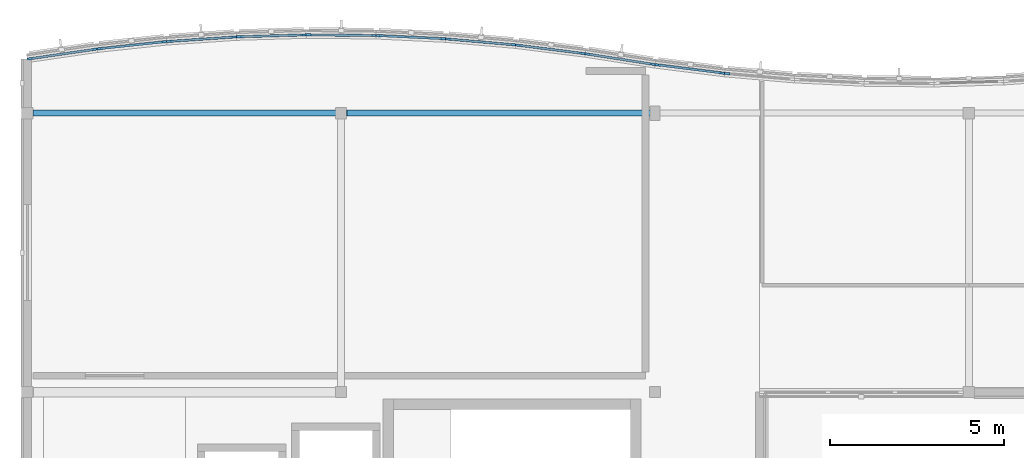
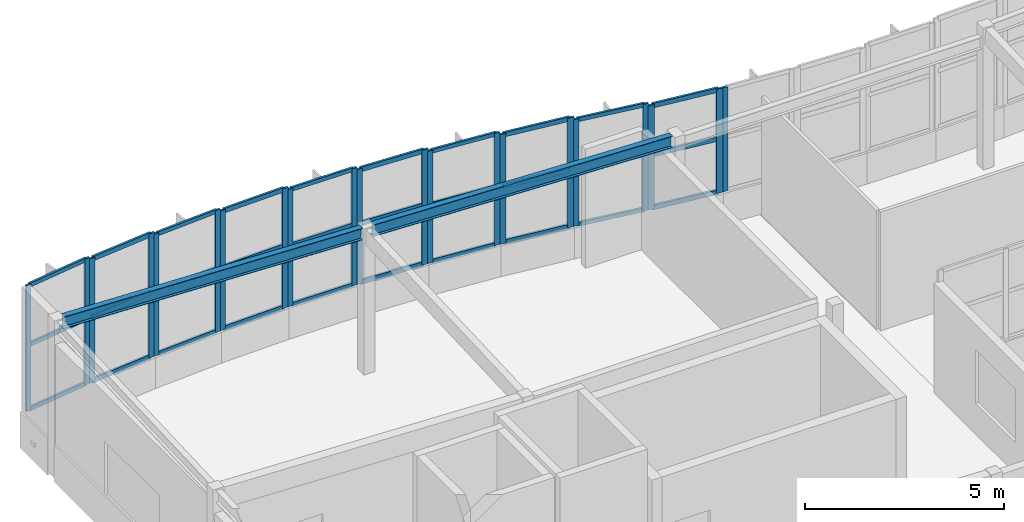
# One storey, part 4 of 20: 51 members, 2 beams, 11 elements without a shape of their own.
"""IFC4 building model written with IfcOpenShell, lengths in metres."""

from ifc_helpers import new_model, si_unit, direction, frame, origin, origin_2d, place, context, subcontext, project, spatial, rectangle, i_section, extrude, material, layer, layer_set, material_profile, profile_set, type_object, element, aggregate, save


model = new_model("IFC4")

# Units and contexts
model_context = context("Model", 3, precision=1e-05, world=origin(), true_north=direction((0.0, 1.0)))
body_context = subcontext(model_context, "Body", "Model", "MODEL_VIEW")
ifc_project = project(units=[si_unit("LENGTHUNIT", "METRE"), si_unit("AREAUNIT", "SQUARE_METRE"), si_unit("VOLUMEUNIT", "CUBIC_METRE"), si_unit("PLANEANGLEUNIT", "RADIAN"), si_unit("MASSUNIT", "GRAM", prefix="KILO")], contexts=[model_context])

# Site, building, storey
site_placement = place(None, origin())
site = spatial("IfcSite", under=ifc_project, at=site_placement, CompositionType="ELEMENT")
building_placement = place(site_placement, origin())
building = spatial("IfcBuilding", under=site, at=building_placement, Name="Tonlespit Floodbar School", CompositionType="ELEMENT")
storey_placement = place(building_placement, frame((0.0, 0.0, 20.10009765625)))
storey = spatial("IfcBuildingStorey", under=building, at=storey_placement, Name="L05", CompositionType="ELEMENT", Elevation=20.10009765625)

# Curtain wall, members
ifc_material_1 = material(Name="Anodised Aluminium", Category="aluminium")
ifc_layer_1 = layer(ifc_material_1, 0.159912109375)
ifc_layer_set_1 = layer_set([ifc_layer_1], Name="Anodised Aluminium")
curtain_wall_type_1 = type_object("IfcCurtainWallType", Name="CurtainWall_1950x3850", PredefinedType="NOTDEFINED", material=ifc_layer_set_1)
curtain_wall_1_placement = place(storey_placement, origin())
curtain_wall_1 = element("IfcCurtainWall", 1, at=curtain_wall_1_placement, inside=storey, type_object=curtain_wall_type_1, Name="L05 unitised curtain wall 0208", PredefinedType="NOTDEFINED")
ifc_material_profile_1 = material_profile(ifc_material_1, rectangle(XDim=0.06494140625, YDim=0.14990234375, at=origin_2d()), Name="ALU M65x150")
ifc_profile_set_1 = profile_set([ifc_material_profile_1], Name="Anodised Aluminium")
member_type_1 = type_object("IfcMemberType", Name="CW_Mullion_65x150", PredefinedType="MULLION", material=ifc_profile_set_1)
member_1_placement = place(storey_placement, frame((44.07177734375, 121.560546875, 0.949951171875), z_axis=(0.0, 0.0, 1.0), x_axis=(-0.144248041079, 0.989541561858, 0.0)))
member_1 = element("IfcMember", 2, at=member_1_placement, type_object=member_type_1, Name="CW-09 mullion 1", PredefinedType="MULLION", context=body_context, shape_type="SweptSolid", body=[
    extrude(rectangle(XDim=0.06494140625, YDim=0.14990234375, at=origin_2d()), origin(), (0.0, 0.0, 1.0), 3.871337890625),
])
member_2_placement = place(storey_placement, frame((45.92822265625, 121.8310546875, 0.949951171875), z_axis=(0.0, 0.0, 1.0), x_axis=(-0.144248041079, 0.989541561858, 0.0)))
member_2 = element("IfcMember", 3, at=member_2_placement, type_object=member_type_1, Name="CW-09 mullion 2", PredefinedType="MULLION", context=body_context, shape_type="SweptSolid", body=[
    extrude(rectangle(XDim=0.06494140625, YDim=0.14990234375, at=origin_2d()), origin(), (0.0, 0.0, 1.0), 3.871337890625),
])

ifc_layer_2 = layer(ifc_material_1, 0.159912109375)
ifc_layer_set_2 = layer_set([ifc_layer_2], Name="Anodised Aluminium")
curtain_wall_type_2 = type_object("IfcCurtainWallType", Name="CurtainWall_1900x3750", PredefinedType="NOTDEFINED", material=ifc_layer_set_2)
curtain_wall_2_placement = place(storey_placement, origin())
curtain_wall_2 = element("IfcCurtainWall", 4, at=curtain_wall_2_placement, inside=storey, type_object=curtain_wall_type_2, Name="L05 unitised curtain wall 0210", PredefinedType="NOTDEFINED")
member_3_placement = place(storey_placement, frame((48.072265625, 122.05908203125, 0.949951171875), z_axis=(0.0, 0.0, 1.0), x_axis=(-0.067339767311, 0.99773010165, 0.0)))
member_3 = element("IfcMember", 5, at=member_3_placement, type_object=member_type_1, Name="CW-11 mullion 1", PredefinedType="MULLION", context=body_context, shape_type="SweptSolid", body=[
    extrude(rectangle(XDim=0.06494140625, YDim=0.14990234375, at=origin_2d()), origin(), (0.0, 0.0, 1.0), 3.7431640625),
])
member_4_placement = place(storey_placement, frame((49.927734375, 122.184326171875, 0.949951171875), z_axis=(0.0, 0.0, 1.0), x_axis=(-0.067339767311, 0.99773010165, 0.0)))
member_4 = element("IfcMember", 6, at=member_4_placement, type_object=member_type_1, Name="CW-11 mullion 2", PredefinedType="MULLION", context=body_context, shape_type="SweptSolid", body=[
    extrude(rectangle(XDim=0.06494140625, YDim=0.14990234375, at=origin_2d()), origin(), (0.0, 0.0, 1.0), 3.7431640625),
])

ifc_layer_3 = layer(ifc_material_1, 0.159912109375)
ifc_layer_set_3 = layer_set([ifc_layer_3], Name="Anodised Aluminium")
curtain_wall_type_3 = type_object("IfcCurtainWallType", Name="CurtainWall_1900x3600", PredefinedType="NOTDEFINED", material=ifc_layer_set_3)
curtain_wall_3_placement = place(storey_placement, origin())
curtain_wall_3 = element("IfcCurtainWall", 7, at=curtain_wall_3_placement, inside=storey, type_object=curtain_wall_type_3, Name="L05 unitised curtain wall 0212", PredefinedType="NOTDEFINED")
member_5_placement = place(storey_placement, frame((52.072509765625, 122.246337890625, 0.949951171875), z_axis=(0.0, 0.0, 1.0), x_axis=(0.009582893292, 0.999954083024, 0.0)))
member_5 = element("IfcMember", 8, at=member_5_placement, type_object=member_type_1, Name="CW-13 mullion 1", PredefinedType="MULLION", context=body_context, shape_type="SweptSolid", body=[
    extrude(rectangle(XDim=0.06494140625, YDim=0.14990234375, at=origin_2d()), origin(), (0.0, 0.0, 1.0), 3.601806640625),
])
member_6_placement = place(storey_placement, frame((53.927490234375, 122.228515625, 0.949951171875), z_axis=(0.0, 0.0, 1.0), x_axis=(0.009582893292, 0.999954083024, 0.0)))
member_6 = element("IfcMember", 9, at=member_6_placement, type_object=member_type_1, Name="CW-13 mullion 2", PredefinedType="MULLION", context=body_context, shape_type="SweptSolid", body=[
    extrude(rectangle(XDim=0.06494140625, YDim=0.14990234375, at=origin_2d()), origin(), (0.0, 0.0, 1.0), 3.601806640625),
])

ifc_layer_4 = layer(ifc_material_1, 0.159912109375)
ifc_layer_set_4 = layer_set([ifc_layer_4], Name="Anodised Aluminium")
curtain_wall_type_4 = type_object("IfcCurtainWallType", Name="CurtainWall_1950x3450", PredefinedType="NOTDEFINED", material=ifc_layer_set_4)
curtain_wall_4_placement = place(storey_placement, origin())
curtain_wall_4 = element("IfcCurtainWall", 10, at=curtain_wall_4_placement, inside=storey, type_object=curtain_wall_type_4, Name="L05 unitised curtain wall 0214", PredefinedType="NOTDEFINED")
member_7_placement = place(storey_placement, frame((56.072265625, 122.125244140625, 0.949951171875), z_axis=(0.0, 0.0, 1.0), x_axis=(0.086531117454, 0.996249148412, 0.0)))
member_7 = element("IfcMember", 11, at=member_7_placement, type_object=member_type_1, Name="CW-15 mullion 1", PredefinedType="MULLION", context=body_context, shape_type="SweptSolid", body=[
    extrude(rectangle(XDim=0.06494140625, YDim=0.14990234375, at=origin_2d()), origin(), (0.0, 0.0, 1.0), 3.447021484375),
])
member_8_placement = place(storey_placement, frame((57.927734375, 121.964111328125, 0.949951171875), z_axis=(0.0, 0.0, 1.0), x_axis=(0.086531117454, 0.996249148412, 0.0)))
member_8 = element("IfcMember", 12, at=member_8_placement, type_object=member_type_1, Name="CW-15 mullion 2", PredefinedType="MULLION", context=body_context, shape_type="SweptSolid", body=[
    extrude(rectangle(XDim=0.06494140625, YDim=0.14990234375, at=origin_2d()), origin(), (0.0, 0.0, 1.0), 3.447021484375),
])

ifc_layer_5 = layer(ifc_material_1, 0.159912109375)
ifc_layer_set_5 = layer_set([ifc_layer_5], Name="Anodised Aluminium")
curtain_wall_type_5 = type_object("IfcCurtainWallType", Name="CurtainWall_1950x3300", PredefinedType="NOTDEFINED", material=ifc_layer_set_5)
curtain_wall_5_placement = place(storey_placement, origin())
curtain_wall_5 = element("IfcCurtainWall", 13, at=curtain_wall_5_placement, inside=storey, type_object=curtain_wall_type_5, Name="L05 unitised curtain wall 0216", PredefinedType="NOTDEFINED")
member_9_placement = place(storey_placement, frame((60.071533203125, 121.694580078125, 0.949951171875), z_axis=(0.0, 0.0, 1.0), x_axis=(0.153796288585, 0.988102576465, 0.0)))
member_9 = element("IfcMember", 14, at=member_9_placement, type_object=member_type_1, Name="CW-01 mullion 1", PredefinedType="MULLION", context=body_context, shape_type="SweptSolid", body=[
    extrude(rectangle(XDim=0.06494140625, YDim=0.14990234375, at=origin_2d()), origin(), (0.0, 0.0, 1.0), 3.279541015625),
])
member_10_placement = place(storey_placement, frame((61.928466796875, 121.405517578125, 0.949951171875), z_axis=(0.0, 0.0, 1.0), x_axis=(0.153796288585, 0.988102576465, 0.0)))
member_10 = element("IfcMember", 15, at=member_10_placement, type_object=member_type_1, Name="CW-01 mullion 2", PredefinedType="MULLION", context=body_context, shape_type="SweptSolid", body=[
    extrude(rectangle(XDim=0.06494140625, YDim=0.14990234375, at=origin_2d()), origin(), (0.0, 0.0, 1.0), 3.279541015625),
])

# Curtain wall, member
ifc_layer_6 = layer(ifc_material_1, 0.159912109375)
ifc_layer_set_6 = layer_set([ifc_layer_6], Name="Anodised Aluminium")
curtain_wall_type_6 = type_object("IfcCurtainWallType", Name="CurtainWall_1950x3200", PredefinedType="NOTDEFINED", material=ifc_layer_set_6)
curtain_wall_6_placement = place(storey_placement, origin())
curtain_wall_6 = element("IfcCurtainWall", 16, at=curtain_wall_6_placement, inside=storey, type_object=curtain_wall_type_6, Name="L05 unitised curtain wall 0218", PredefinedType="NOTDEFINED")
member_11_placement = place(storey_placement, frame((64.072265625, 121.135986328125, 0.949951171875), z_axis=(0.0, 0.0, 1.0), x_axis=(0.086531117454, 0.996249148412, 0.0)))
member_11 = element("IfcMember", 17, at=member_11_placement, type_object=member_type_1, Name="CW-17 mullion 1", PredefinedType="MULLION", context=body_context, shape_type="SweptSolid", body=[
    extrude(rectangle(XDim=0.06494140625, YDim=0.14990234375, at=origin_2d()), origin(), (0.0, 0.0, 1.0), 3.197265625),
])
aggregate(curtain_wall_6, [member_11])

# Curtain wall, members
ifc_layer_7 = layer(ifc_material_1, 0.159912109375)
ifc_layer_set_7 = layer_set([ifc_layer_7], Name="Anodised Aluminium")
curtain_wall_type_7 = type_object("IfcCurtainWallType", Name="CurtainWall_1950x3800", PredefinedType="NOTDEFINED", material=ifc_layer_set_7)
curtain_wall_7_placement = place(storey_placement, origin())
curtain_wall_7 = element("IfcCurtainWall", 18, at=curtain_wall_7_placement, inside=storey, type_object=curtain_wall_type_7, Name="L05 unitised curtain wall 0209", PredefinedType="NOTDEFINED")
ifc_material_profile_2 = material_profile(ifc_material_1, rectangle(XDim=0.06494140625, YDim=0.179931640625, at=origin_2d()), Name="ALU M65x180")
ifc_profile_set_2 = profile_set([ifc_material_profile_2], Name="Anodised Aluminium")
member_type_2 = type_object("IfcMemberType", Name="CW_Mullion_65x180", PredefinedType="MULLION", material=ifc_profile_set_2)
member_12_placement = place(storey_placement, frame((46.072021484375, 121.84912109375, 0.949951171875), z_axis=(0.0, 0.0, 1.0), x_axis=(-0.105787143968, 0.994388797288, 0.0)))
member_12 = element("IfcMember", 19, at=member_12_placement, type_object=member_type_2, Name="CW-10 mullion 1", PredefinedType="MULLION", context=body_context, shape_type="SweptSolid", body=[
    extrude(rectangle(XDim=0.06494140625, YDim=0.179931640625, at=origin_2d()), origin(), (0.0, 0.0, 1.0), 3.808837890625),
])
member_13_placement = place(storey_placement, frame((47.927978515625, 122.046630859375, 0.949951171875), z_axis=(0.0, 0.0, 1.0), x_axis=(-0.105787143968, 0.994388797288, 0.0)))
member_13 = element("IfcMember", 20, at=member_13_placement, type_object=member_type_2, Name="CW-10 mullion 2", PredefinedType="MULLION", context=body_context, shape_type="SweptSolid", body=[
    extrude(rectangle(XDim=0.06494140625, YDim=0.179931640625, at=origin_2d()), origin(), (0.0, 0.0, 1.0), 3.808837890625),
])

ifc_layer_8 = layer(ifc_material_1, 0.159912109375)
ifc_layer_set_8 = layer_set([ifc_layer_8], Name="Anodised Aluminium")
curtain_wall_type_8 = type_object("IfcCurtainWallType", Name="CurtainWall_1900x3650", PredefinedType="NOTDEFINED", material=ifc_layer_set_8)
curtain_wall_8_placement = place(storey_placement, origin())
curtain_wall_8 = element("IfcCurtainWall", 21, at=curtain_wall_8_placement, inside=storey, type_object=curtain_wall_type_8, Name="L05 unitised curtain wall 0211", PredefinedType="NOTDEFINED")
member_14_placement = place(storey_placement, frame((50.072509765625, 122.19140625, 0.949951171875), z_axis=(0.0, 0.0, 1.0), x_axis=(-0.028790144226, 0.999585477883, 0.0)))
member_14 = element("IfcMember", 22, at=member_14_placement, type_object=member_type_2, Name="CW-12 mullion 1", PredefinedType="MULLION", context=body_context, shape_type="SweptSolid", body=[
    extrude(rectangle(XDim=0.06494140625, YDim=0.179931640625, at=origin_2d()), origin(), (0.0, 0.0, 1.0), 3.674072265625),
])
member_15_placement = place(storey_placement, frame((51.927490234375, 122.244873046875, 0.949951171875), z_axis=(0.0, 0.0, 1.0), x_axis=(-0.028790144226, 0.999585477883, 0.0)))
member_15 = element("IfcMember", 23, at=member_15_placement, type_object=member_type_2, Name="CW-12 mullion 2", PredefinedType="MULLION", context=body_context, shape_type="SweptSolid", body=[
    extrude(rectangle(XDim=0.06494140625, YDim=0.179931640625, at=origin_2d()), origin(), (0.0, 0.0, 1.0), 3.674072265625),
])

ifc_layer_9 = layer(ifc_material_1, 0.159912109375)
ifc_layer_set_9 = layer_set([ifc_layer_9], Name="Anodised Aluminium")
curtain_wall_type_9 = type_object("IfcCurtainWallType", Name="CurtainWall_1900x3550", PredefinedType="NOTDEFINED", material=ifc_layer_set_9)
curtain_wall_9_placement = place(storey_placement, origin())
curtain_wall_9 = element("IfcCurtainWall", 24, at=curtain_wall_9_placement, inside=storey, type_object=curtain_wall_type_9, Name="L05 unitised curtain wall 0213", PredefinedType="NOTDEFINED")
member_16_placement = place(storey_placement, frame((54.072509765625, 122.224365234375, 0.949951171875), z_axis=(0.0, 0.0, 1.0), x_axis=(0.048121270216, 0.998841500616, 0.0)))
member_16 = element("IfcMember", 25, at=member_16_placement, type_object=member_type_2, Name="CW-14 mullion 1", PredefinedType="MULLION", context=body_context, shape_type="SweptSolid", body=[
    extrude(rectangle(XDim=0.06494140625, YDim=0.179931640625, at=origin_2d()), origin(), (0.0, 0.0, 1.0), 3.526123046875),
])
member_17_placement = place(storey_placement, frame((55.927490234375, 122.135009765625, 0.949951171875), z_axis=(0.0, 0.0, 1.0), x_axis=(0.048121270216, 0.998841500616, 0.0)))
member_17 = element("IfcMember", 26, at=member_17_placement, type_object=member_type_2, Name="CW-14 mullion 2", PredefinedType="MULLION", context=body_context, shape_type="SweptSolid", body=[
    extrude(rectangle(XDim=0.06494140625, YDim=0.179931640625, at=origin_2d()), origin(), (0.0, 0.0, 1.0), 3.526123046875),
])

ifc_layer_10 = layer(ifc_material_1, 0.159912109375)
ifc_layer_set_10 = layer_set([ifc_layer_10], Name="Anodised Aluminium")
curtain_wall_type_10 = type_object("IfcCurtainWallType", Name="CurtainWall_1950x3350", PredefinedType="NOTDEFINED", material=ifc_layer_set_10)
curtain_wall_10_placement = place(storey_placement, origin())
curtain_wall_10 = element("IfcCurtainWall", 27, at=curtain_wall_10_placement, inside=storey, type_object=curtain_wall_type_10, Name="L05 unitised curtain wall 0215", PredefinedType="NOTDEFINED")
member_18_placement = place(storey_placement, frame((58.072021484375, 121.94873046875, 0.949951171875), z_axis=(0.0, 0.0, 1.0), x_axis=(0.125013803299, 0.992155002499, 0.0)))
member_18 = element("IfcMember", 28, at=member_18_placement, type_object=member_type_2, Name="CW-16 mullion 1", PredefinedType="MULLION", context=body_context, shape_type="SweptSolid", body=[
    extrude(rectangle(XDim=0.06494140625, YDim=0.179931640625, at=origin_2d()), origin(), (0.0, 0.0, 1.0), 3.364501953125),
])
member_19_placement = place(storey_placement, frame((59.927978515625, 121.71484375, 0.949951171875), z_axis=(0.0, 0.0, 1.0), x_axis=(0.125013803299, 0.992155002499, 0.0)))
member_19 = element("IfcMember", 29, at=member_19_placement, type_object=member_type_2, Name="CW-16 mullion 2", PredefinedType="MULLION", context=body_context, shape_type="SweptSolid", body=[
    extrude(rectangle(XDim=0.06494140625, YDim=0.179931640625, at=origin_2d()), origin(), (0.0, 0.0, 1.0), 3.364501953125),
])

curtain_wall_11_placement = place(storey_placement, origin())
curtain_wall_11 = element("IfcCurtainWall", 30, at=curtain_wall_11_placement, inside=storey, type_object=curtain_wall_type_6, Name="L05 unitised curtain wall 0217", PredefinedType="NOTDEFINED")
member_20_placement = place(storey_placement, frame((62.072021484375, 121.38525390625, 0.949951171875), z_axis=(0.0, 0.0, 1.0), x_axis=(0.125013803299, 0.992155002499, 0.0)))
member_20 = element("IfcMember", 31, at=member_20_placement, type_object=member_type_2, Name="CW-17 mullion 1", PredefinedType="MULLION", context=body_context, shape_type="SweptSolid", body=[
    extrude(rectangle(XDim=0.06494140625, YDim=0.179931640625, at=origin_2d()), origin(), (0.0, 0.0, 1.0), 3.197265625),
])
member_21_placement = place(storey_placement, frame((63.927978515625, 121.1513671875, 0.949951171875), z_axis=(0.0, 0.0, 1.0), x_axis=(0.125013803299, 0.992155002499, 0.0)))
member_21 = element("IfcMember", 32, at=member_21_placement, type_object=member_type_2, Name="CW-17 mullion 2", PredefinedType="MULLION", context=body_context, shape_type="SweptSolid", body=[
    extrude(rectangle(XDim=0.06494140625, YDim=0.179931640625, at=origin_2d()), origin(), (0.0, 0.0, 1.0), 3.197265625),
])

# Member
ifc_material_profile_3 = material_profile(ifc_material_1, rectangle(XDim=0.06494140625, YDim=0.1201171875, at=origin_2d()), Name="ALU T65x120")
ifc_profile_set_3 = profile_set([ifc_material_profile_3], Name="Anodised Aluminium")
member_type_3 = type_object("IfcMemberType", Name="CW_Transom_65x120", PredefinedType="USERDEFINED", material=ifc_profile_set_3)
member_22_placement = place(storey_placement, frame((44.10400390625, 121.565185546875, 0.982421875), z_axis=(0.989541000818, 0.144251889765, 0.0), x_axis=(-0.144251889765, 0.989541000818, 0.0)))
member_22 = element("IfcMember", 33, at=member_22_placement, type_object=member_type_3, Name="CW-09 transom 1.1", ObjectType="TRANSOM", PredefinedType="USERDEFINED", context=body_context, shape_type="SweptSolid", body=[
    extrude(rectangle(XDim=0.06494140625, YDim=0.1201171875, at=origin_2d()), origin(), (0.0, 0.0, 1.0), 1.81103515625),
])

member_23_placement = place(storey_placement, frame((44.10400390625, 121.565185546875, 2.962890625), z_axis=(0.989541000818, 0.144251889765, 0.0), x_axis=(-0.144251889765, 0.989541000818, 0.0)))
member_23 = element("IfcMember", 34, at=member_23_placement, type_object=member_type_3, Name="CW-09 transom 1.2", ObjectType="TRANSOM", PredefinedType="USERDEFINED", context=body_context, shape_type="SweptSolid", body=[
    extrude(rectangle(XDim=0.06494140625, YDim=0.1201171875, at=origin_2d()), origin(), (0.0, 0.0, 1.0), 1.81103515625),
])

member_24_placement = place(storey_placement, frame((44.10400390625, 121.565185546875, 4.788818359375), z_axis=(0.989541000818, 0.144251889765, 0.0), x_axis=(-0.144251889765, 0.989541000818, 0.0)))
member_24 = element("IfcMember", 35, at=member_24_placement, type_object=member_type_3, Name="CW-09 transom 1.3", ObjectType="TRANSOM", PredefinedType="USERDEFINED", context=body_context, shape_type="SweptSolid", body=[
    extrude(rectangle(XDim=0.06494140625, YDim=0.1201171875, at=origin_2d()), origin(), (0.0, 0.0, 1.0), 1.81103515625),
])

aggregate(curtain_wall_1, [member_1, member_2, member_22, member_23, member_24])

member_25_placement = place(storey_placement, frame((48.104736328125, 122.061279296875, 0.982421875), z_axis=(0.997730041674, 0.067340655935, 0.0), x_axis=(-0.067340655935, 0.997730041674, 0.0)))
member_25 = element("IfcMember", 36, at=member_25_placement, type_object=member_type_3, Name="CW-11 transom 1.1", ObjectType="TRANSOM", PredefinedType="USERDEFINED", context=body_context, shape_type="SweptSolid", body=[
    extrude(rectangle(XDim=0.06494140625, YDim=0.1201171875, at=origin_2d()), origin(), (0.0, 0.0, 1.0), 1.794677734375),
])

member_26_placement = place(storey_placement, frame((48.104736328125, 122.061279296875, 2.896484375), z_axis=(0.997730041674, 0.067340655935, 0.0), x_axis=(-0.067340655935, 0.997730041674, 0.0)))
member_26 = element("IfcMember", 37, at=member_26_placement, type_object=member_type_3, Name="CW-11 transom 1.2", ObjectType="TRANSOM", PredefinedType="USERDEFINED", context=body_context, shape_type="SweptSolid", body=[
    extrude(rectangle(XDim=0.06494140625, YDim=0.1201171875, at=origin_2d()), origin(), (0.0, 0.0, 1.0), 1.794677734375),
])

member_27_placement = place(storey_placement, frame((48.104736328125, 122.061279296875, 4.66064453125), z_axis=(0.997730041674, 0.067340655935, 0.0), x_axis=(-0.067340655935, 0.997730041674, 0.0)))
member_27 = element("IfcMember", 38, at=member_27_placement, type_object=member_type_3, Name="CW-11 transom 1.3", ObjectType="TRANSOM", PredefinedType="USERDEFINED", context=body_context, shape_type="SweptSolid", body=[
    extrude(rectangle(XDim=0.06494140625, YDim=0.1201171875, at=origin_2d()), origin(), (0.0, 0.0, 1.0), 1.794677734375),
])

aggregate(curtain_wall_2, [member_3, member_4, member_25, member_26, member_27])

member_28_placement = place(storey_placement, frame((52.10498046875, 122.24609375, 0.982421875), z_axis=(0.999953117448, -0.009683124842, 0.0), x_axis=(0.009683124842, 0.999953117448, 0.0)))
member_28 = element("IfcMember", 39, at=member_28_placement, type_object=member_type_3, Name="CW-13 transom 1.1", ObjectType="TRANSOM", PredefinedType="USERDEFINED", context=body_context, shape_type="SweptSolid", body=[
    extrude(rectangle(XDim=0.06494140625, YDim=0.1201171875, at=origin_2d()), origin(), (0.0, 0.0, 1.0), 1.7900390625),
])

member_29_placement = place(storey_placement, frame((52.10498046875, 122.24609375, 2.82275390625), z_axis=(0.999953117448, -0.009683124842, 0.0), x_axis=(0.009683124842, 0.999953117448, 0.0)))
member_29 = element("IfcMember", 40, at=member_29_placement, type_object=member_type_3, Name="CW-13 transom 1.2", ObjectType="TRANSOM", PredefinedType="USERDEFINED", context=body_context, shape_type="SweptSolid", body=[
    extrude(rectangle(XDim=0.06494140625, YDim=0.1201171875, at=origin_2d()), origin(), (0.0, 0.0, 1.0), 1.7900390625),
])

member_30_placement = place(storey_placement, frame((52.10498046875, 122.24609375, 4.519287109375), z_axis=(0.999953117448, -0.009683124842, 0.0), x_axis=(0.009683124842, 0.999953117448, 0.0)))
member_30 = element("IfcMember", 41, at=member_30_placement, type_object=member_type_3, Name="CW-13 transom 1.3", ObjectType="TRANSOM", PredefinedType="USERDEFINED", context=body_context, shape_type="SweptSolid", body=[
    extrude(rectangle(XDim=0.06494140625, YDim=0.1201171875, at=origin_2d()), origin(), (0.0, 0.0, 1.0), 1.7900390625),
])

aggregate(curtain_wall_3, [member_5, member_6, member_28, member_29, member_30])

member_31_placement = place(storey_placement, frame((56.1044921875, 122.122314453125, 0.982421875), z_axis=(0.996251281774, -0.086506552139, 0.0), x_axis=(0.086506552139, 0.996251281774, 0.0)))
member_31 = element("IfcMember", 42, at=member_31_placement, type_object=member_type_3, Name="CW-15 transom 1.1", ObjectType="TRANSOM", PredefinedType="USERDEFINED", context=body_context, shape_type="SweptSolid", body=[
    extrude(rectangle(XDim=0.06494140625, YDim=0.1201171875, at=origin_2d()), origin(), (0.0, 0.0, 1.0), 1.7978515625),
])

member_32_placement = place(storey_placement, frame((56.1044921875, 122.122314453125, 2.742431640625), z_axis=(0.996251281774, -0.086506552139, 0.0), x_axis=(0.086506552139, 0.996251281774, 0.0)))
member_32 = element("IfcMember", 43, at=member_32_placement, type_object=member_type_3, Name="CW-15 transom 1.2", ObjectType="TRANSOM", PredefinedType="USERDEFINED", context=body_context, shape_type="SweptSolid", body=[
    extrude(rectangle(XDim=0.06494140625, YDim=0.1201171875, at=origin_2d()), origin(), (0.0, 0.0, 1.0), 1.7978515625),
])

member_33_placement = place(storey_placement, frame((56.1044921875, 122.122314453125, 4.364501953125), z_axis=(0.996251281774, -0.086506552139, 0.0), x_axis=(0.086506552139, 0.996251281774, 0.0)))
member_33 = element("IfcMember", 44, at=member_33_placement, type_object=member_type_3, Name="CW-15 transom 1.3", ObjectType="TRANSOM", PredefinedType="USERDEFINED", context=body_context, shape_type="SweptSolid", body=[
    extrude(rectangle(XDim=0.06494140625, YDim=0.1201171875, at=origin_2d()), origin(), (0.0, 0.0, 1.0), 1.7978515625),
])

aggregate(curtain_wall_4, [member_7, member_8, member_31, member_32, member_33])

member_34_placement = place(storey_placement, frame((60.103759765625, 121.689453125, 0.982421875), z_axis=(0.988097838313, -0.15382672694, 0.0), x_axis=(0.15382672694, 0.988097838313, 0.0)))
member_34 = element("IfcMember", 45, at=member_34_placement, type_object=member_type_3, Name="CW-01 transom 1.1", ObjectType="TRANSOM", PredefinedType="USERDEFINED", context=body_context, shape_type="SweptSolid", body=[
    extrude(rectangle(XDim=0.06494140625, YDim=0.1201171875, at=origin_2d()), origin(), (0.0, 0.0, 1.0), 1.81396484375),
])

member_35_placement = place(storey_placement, frame((60.103759765625, 121.689453125, 2.6552734375), z_axis=(0.988097838313, -0.15382672694, 0.0), x_axis=(0.15382672694, 0.988097838313, 0.0)))
member_35 = element("IfcMember", 46, at=member_35_placement, type_object=member_type_3, Name="CW-01 transom 1.2", ObjectType="TRANSOM", PredefinedType="USERDEFINED", context=body_context, shape_type="SweptSolid", body=[
    extrude(rectangle(XDim=0.06494140625, YDim=0.1201171875, at=origin_2d()), origin(), (0.0, 0.0, 1.0), 1.81396484375),
])

member_36_placement = place(storey_placement, frame((60.103759765625, 121.689453125, 4.197021484375), z_axis=(0.988097838313, -0.15382672694, 0.0), x_axis=(0.15382672694, 0.988097838313, 0.0)))
member_36 = element("IfcMember", 47, at=member_36_placement, type_object=member_type_3, Name="CW-01 transom 1.3", ObjectType="TRANSOM", PredefinedType="USERDEFINED", context=body_context, shape_type="SweptSolid", body=[
    extrude(rectangle(XDim=0.06494140625, YDim=0.1201171875, at=origin_2d()), origin(), (0.0, 0.0, 1.0), 1.81396484375),
])

aggregate(curtain_wall_5, [member_9, member_10, member_34, member_35, member_36])

ifc_material_profile_4 = material_profile(ifc_material_1, rectangle(XDim=0.06494140625, YDim=0.139892578125, at=origin_2d()), Name="ALU T65x140")
ifc_profile_set_4 = profile_set([ifc_material_profile_4], Name="Anodised Aluminium")
member_type_4 = type_object("IfcMemberType", Name="CW_Transom_65x140", PredefinedType="USERDEFINED", material=ifc_profile_set_4)
member_37_placement = place(storey_placement, frame((46.1044921875, 121.852783203125, 0.982421875), z_axis=(0.994394979136, 0.105729019047, 0.0), x_axis=(-0.105729019047, 0.994394979136, 0.0)))
member_37 = element("IfcMember", 48, at=member_37_placement, type_object=member_type_4, Name="CW-10 transom 1.1", ObjectType="TRANSOM", PredefinedType="USERDEFINED", context=body_context, shape_type="SweptSolid", body=[
    extrude(rectangle(XDim=0.06494140625, YDim=0.139892578125, at=origin_2d()), origin(), (0.0, 0.0, 1.0), 1.801025390625),
])

member_38_placement = place(storey_placement, frame((46.1044921875, 121.852783203125, 2.9306640625), z_axis=(0.994394979136, 0.105729019047, 0.0), x_axis=(-0.105729019047, 0.994394979136, 0.0)))
member_38 = element("IfcMember", 49, at=member_38_placement, type_object=member_type_4, Name="CW-10 transom 1.2", ObjectType="TRANSOM", PredefinedType="USERDEFINED", context=body_context, shape_type="SweptSolid", body=[
    extrude(rectangle(XDim=0.06494140625, YDim=0.139892578125, at=origin_2d()), origin(), (0.0, 0.0, 1.0), 1.801025390625),
])

member_39_placement = place(storey_placement, frame((46.1044921875, 121.852783203125, 4.726318359375), z_axis=(0.994394979136, 0.105729019047, 0.0), x_axis=(-0.105729019047, 0.994394979136, 0.0)))
member_39 = element("IfcMember", 50, at=member_39_placement, type_object=member_type_4, Name="CW-10 transom 1.3", ObjectType="TRANSOM", PredefinedType="USERDEFINED", context=body_context, shape_type="SweptSolid", body=[
    extrude(rectangle(XDim=0.06494140625, YDim=0.139892578125, at=origin_2d()), origin(), (0.0, 0.0, 1.0), 1.801025390625),
])

aggregate(curtain_wall_7, [member_12, member_13, member_37, member_38, member_39])

member_40_placement = place(storey_placement, frame((50.10498046875, 122.1923828125, 0.982421875), z_axis=(0.999586171543, 0.02876605049, 0.0), x_axis=(-0.02876605049, 0.999586171543, 0.0)))
member_40 = element("IfcMember", 51, at=member_40_placement, type_object=member_type_4, Name="CW-12 transom 1.1", ObjectType="TRANSOM", PredefinedType="USERDEFINED", context=body_context, shape_type="SweptSolid", body=[
    extrude(rectangle(XDim=0.06494140625, YDim=0.139892578125, at=origin_2d()), origin(), (0.0, 0.0, 1.0), 1.790771484375),
])

member_41_placement = place(storey_placement, frame((50.10498046875, 122.1923828125, 2.860595703125), z_axis=(0.999586171543, 0.02876605049, 0.0), x_axis=(-0.02876605049, 0.999586171543, 0.0)))
member_41 = element("IfcMember", 52, at=member_41_placement, type_object=member_type_4, Name="CW-12 transom 1.2", ObjectType="TRANSOM", PredefinedType="USERDEFINED", context=body_context, shape_type="SweptSolid", body=[
    extrude(rectangle(XDim=0.06494140625, YDim=0.139892578125, at=origin_2d()), origin(), (0.0, 0.0, 1.0), 1.790771484375),
])

member_42_placement = place(storey_placement, frame((50.10498046875, 122.1923828125, 4.591552734375), z_axis=(0.999586171543, 0.02876605049, 0.0), x_axis=(-0.02876605049, 0.999586171543, 0.0)))
member_42 = element("IfcMember", 53, at=member_42_placement, type_object=member_type_4, Name="CW-12 transom 1.3", ObjectType="TRANSOM", PredefinedType="USERDEFINED", context=body_context, shape_type="SweptSolid", body=[
    extrude(rectangle(XDim=0.06494140625, YDim=0.139892578125, at=origin_2d()), origin(), (0.0, 0.0, 1.0), 1.790771484375),
])

aggregate(curtain_wall_8, [member_14, member_15, member_40, member_41, member_42])

member_43_placement = place(storey_placement, frame((54.10498046875, 122.22265625, 0.982421875), z_axis=(0.998843034795, -0.048089415069, 0.0), x_axis=(0.048089415069, 0.998843034795, 0.0)))
member_43 = element("IfcMember", 54, at=member_43_placement, type_object=member_type_4, Name="CW-14 transom 1.1", ObjectType="TRANSOM", PredefinedType="USERDEFINED", context=body_context, shape_type="SweptSolid", body=[
    extrude(rectangle(XDim=0.06494140625, YDim=0.139892578125, at=origin_2d()), origin(), (0.0, 0.0, 1.0), 1.7919921875),
])

member_44_placement = place(storey_placement, frame((54.10498046875, 122.22265625, 2.783447265625), z_axis=(0.998843034795, -0.048089415069, 0.0), x_axis=(0.048089415069, 0.998843034795, 0.0)))
member_44 = element("IfcMember", 55, at=member_44_placement, type_object=member_type_4, Name="CW-14 transom 1.2", ObjectType="TRANSOM", PredefinedType="USERDEFINED", context=body_context, shape_type="SweptSolid", body=[
    extrude(rectangle(XDim=0.06494140625, YDim=0.139892578125, at=origin_2d()), origin(), (0.0, 0.0, 1.0), 1.7919921875),
])

member_45_placement = place(storey_placement, frame((54.10498046875, 122.22265625, 4.443603515625), z_axis=(0.998843034795, -0.048089415069, 0.0), x_axis=(0.048089415069, 0.998843034795, 0.0)))
member_45 = element("IfcMember", 56, at=member_45_placement, type_object=member_type_4, Name="CW-14 transom 1.3", ObjectType="TRANSOM", PredefinedType="USERDEFINED", context=body_context, shape_type="SweptSolid", body=[
    extrude(rectangle(XDim=0.06494140625, YDim=0.139892578125, at=origin_2d()), origin(), (0.0, 0.0, 1.0), 1.7919921875),
])

aggregate(curtain_wall_9, [member_16, member_17, member_43, member_44, member_45])

member_46_placement = place(storey_placement, frame((58.104248046875, 121.944580078125, 0.982421875), z_axis=(0.992148373735, -0.125066400341, 0.0), x_axis=(0.125066400341, 0.992148373735, 0.0)))
member_46 = element("IfcMember", 57, at=member_46_placement, type_object=member_type_4, Name="CW-16 transom 1.1", ObjectType="TRANSOM", PredefinedType="USERDEFINED", context=body_context, shape_type="SweptSolid", body=[
    extrude(rectangle(XDim=0.06494140625, YDim=0.139892578125, at=origin_2d()), origin(), (0.0, 0.0, 1.0), 1.8056640625),
])

member_47_placement = place(storey_placement, frame((58.104248046875, 121.944580078125, 2.699462890625), z_axis=(0.992148373735, -0.125066400341, 0.0), x_axis=(0.125066400341, 0.992148373735, 0.0)))
member_47 = element("IfcMember", 58, at=member_47_placement, type_object=member_type_4, Name="CW-16 transom 1.2", ObjectType="TRANSOM", PredefinedType="USERDEFINED", context=body_context, shape_type="SweptSolid", body=[
    extrude(rectangle(XDim=0.06494140625, YDim=0.139892578125, at=origin_2d()), origin(), (0.0, 0.0, 1.0), 1.8056640625),
])

member_48_placement = place(storey_placement, frame((58.104248046875, 121.944580078125, 4.281982421875), z_axis=(0.992148373735, -0.125066400341, 0.0), x_axis=(0.125066400341, 0.992148373735, 0.0)))
member_48 = element("IfcMember", 59, at=member_48_placement, type_object=member_type_4, Name="CW-16 transom 1.3", ObjectType="TRANSOM", PredefinedType="USERDEFINED", context=body_context, shape_type="SweptSolid", body=[
    extrude(rectangle(XDim=0.06494140625, YDim=0.139892578125, at=origin_2d()), origin(), (0.0, 0.0, 1.0), 1.8056640625),
])

aggregate(curtain_wall_10, [member_18, member_19, member_46, member_47, member_48])

member_49_placement = place(storey_placement, frame((62.104248046875, 121.381103515625, 0.982421875), z_axis=(0.992165142165, -0.124933304901, 0.0), x_axis=(0.124933304901, 0.992165142165, 0.0)))
member_49 = element("IfcMember", 60, at=member_49_placement, type_object=member_type_4, Name="CW-17 transom 1.1", ObjectType="TRANSOM", PredefinedType="USERDEFINED", context=body_context, shape_type="SweptSolid", body=[
    extrude(rectangle(XDim=0.06494140625, YDim=0.139892578125, at=origin_2d()), origin(), (0.0, 0.0, 1.0), 1.8056640625),
])

member_50_placement = place(storey_placement, frame((62.104248046875, 121.381103515625, 2.6123046875), z_axis=(0.992165142165, -0.124933304901, 0.0), x_axis=(0.124933304901, 0.992165142165, 0.0)))
member_50 = element("IfcMember", 61, at=member_50_placement, type_object=member_type_4, Name="CW-17 transom 1.2", ObjectType="TRANSOM", PredefinedType="USERDEFINED", context=body_context, shape_type="SweptSolid", body=[
    extrude(rectangle(XDim=0.06494140625, YDim=0.139892578125, at=origin_2d()), origin(), (0.0, 0.0, 1.0), 1.8056640625),
])

member_51_placement = place(storey_placement, frame((62.104248046875, 121.381103515625, 4.114501953125), z_axis=(0.992165142165, -0.124933304901, 0.0), x_axis=(0.124933304901, 0.992165142165, 0.0)))
member_51 = element("IfcMember", 62, at=member_51_placement, type_object=member_type_4, Name="CW-17 transom 1.3", ObjectType="TRANSOM", PredefinedType="USERDEFINED", context=body_context, shape_type="SweptSolid", body=[
    extrude(rectangle(XDim=0.06494140625, YDim=0.139892578125, at=origin_2d()), origin(), (0.0, 0.0, 1.0), 1.8056640625),
])

aggregate(curtain_wall_11, [member_20, member_21, member_49, member_50, member_51])

# Beams
ifc_material_2 = material(Name="Steel S355", Category="steel")
ifc_material_profile_5 = material_profile(ifc_material_2, i_section(OverallWidth=0.169921875, OverallDepth=0.360107421875, WebThickness=0.008056640625, FlangeThickness=0.0126953125, at=origin_2d()), Name="IPE 360")
ifc_profile_set_5 = profile_set([ifc_material_profile_5], Name="Steel S355")
beam_type = type_object("IfcBeamType", Name="Spandrel_STL_IPE360", PredefinedType="SPANDREL", material=ifc_profile_set_5)
beam_1_placement = place(storey_placement, frame((44.159912109375, 120.0, 4.59765625), z_axis=(0.9993606324, 0.0, -0.035753690848), x_axis=(0.0, 1.0, 0.0)))
element("IfcBeam", 63, at=beam_1_placement, inside=storey, type_object=beam_type, Name="L05 girder 1344", PredefinedType="SPANDREL", context=body_context, shape_type="SweptSolid", body=[
    extrude(i_section(OverallWidth=0.169921875, OverallDepth=0.360107421875, WebThickness=0.008056640625, FlangeThickness=0.0126953125, at=origin_2d()), origin(), (0.0, 0.0, 1.0), 8.685791015625),
])
beam_2_placement = place(storey_placement, frame((53.159912109375, 120.0, 4.275634765625), z_axis=(0.999360565943, 0.0, -0.035755548366), x_axis=(0.0, 1.0, 0.0)))
element("IfcBeam", 64, at=beam_2_placement, inside=storey, type_object=beam_type, Name="L05 girder 1345", PredefinedType="SPANDREL", context=body_context, shape_type="SweptSolid", body=[
    extrude(i_section(OverallWidth=0.169921875, OverallDepth=0.360107421875, WebThickness=0.008056640625, FlangeThickness=0.0126953125, at=origin_2d()), origin(), (0.0, 0.0, 1.0), 8.705810546875),
])

save(model, "model.ifc")
